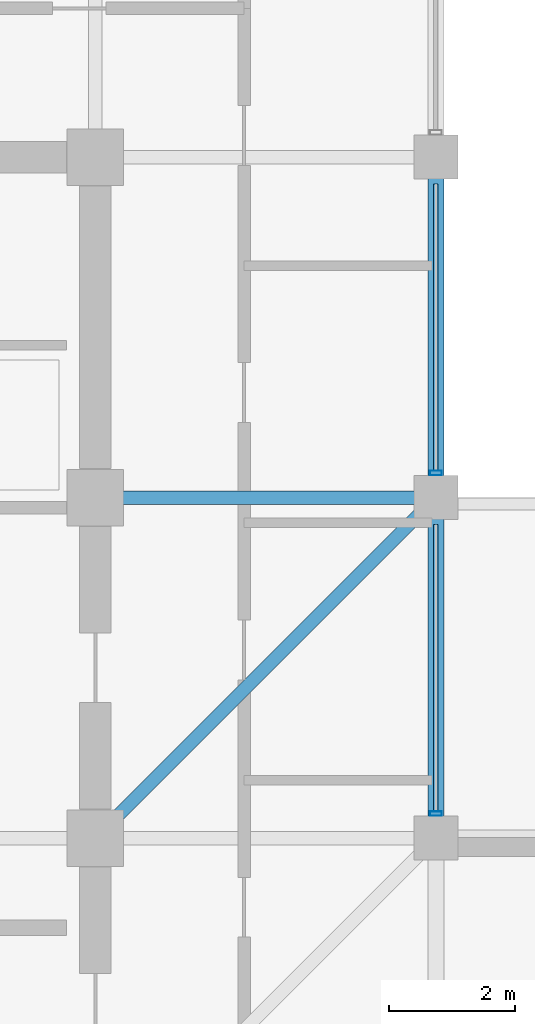
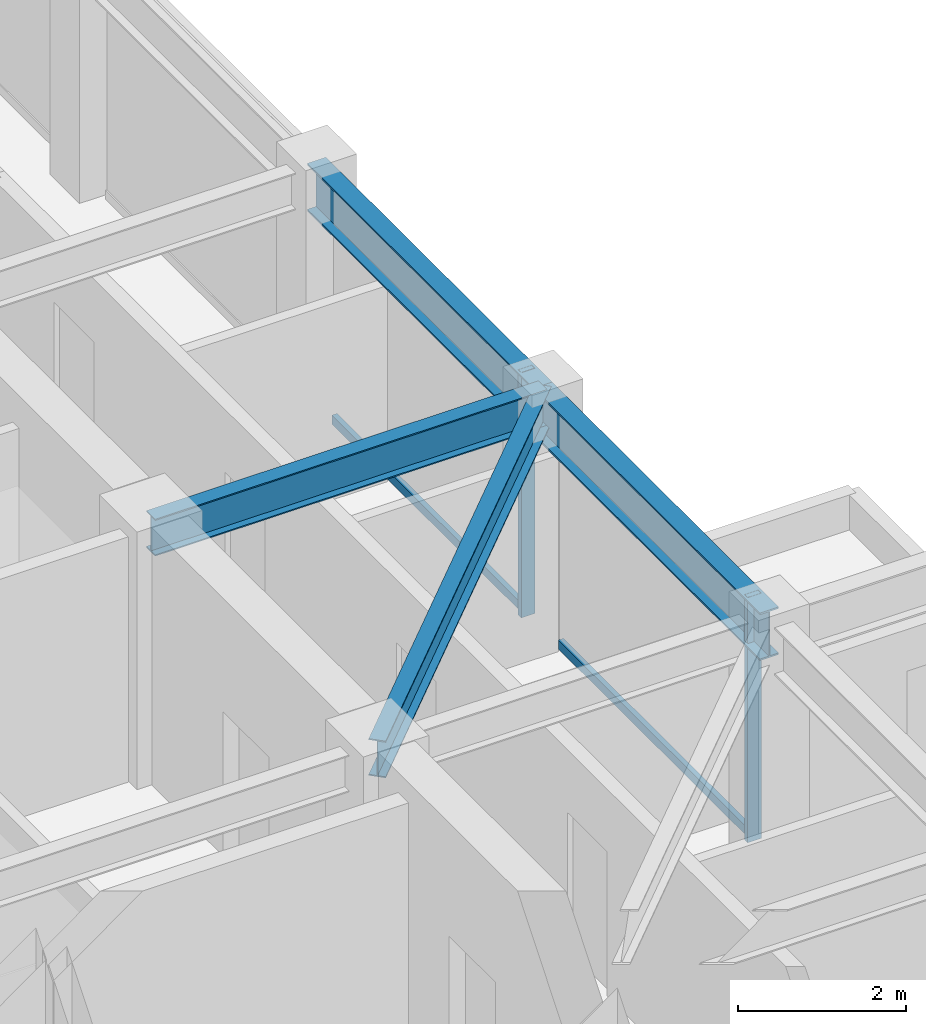
# One storey, part 11 of 31: 4 beams, 4 members, 1 element without a shape of its own.
"""IFC4 building model written with IfcOpenShell, lengths in metres."""

import ifcopenshell
import ifcopenshell.guid

model = None  # the IFC model being written
_history = None  # IfcOwnerHistory: only IFC2X3 demands one
_inside = {}  # id of a spatial element -> (the spatial element, [elements in it])
_under = {}  # id of a project, library or spatial element -> (it, [spatial elements below it])
_declared = {}  # id of a project -> (the project, [libraries it declares])
_typed = {}  # id of a type object -> (the type object, [elements of that type])
_made_of = {}  # id of a material, layer set ... -> (it, [elements and type objects made of it])


def new_model(schema):
    """Start an empty IFC model of exactly this schema.

    Asked for "IFC4X3", IfcOpenShell would pick the latest addendum, in which some entities
    have other attributes; the version numbers below select the first issue.
    IFC2X3 requires an IfcOwnerHistory on every rooted entity: one is made here for all.
    """
    global model, _history
    if schema == "IFC4X3":
        model = ifcopenshell.file(schema_version=(4, 3, 0, 0))
    else:
        model = ifcopenshell.file(schema=schema)
    _inside.clear()
    _under.clear()
    _declared.clear()
    _typed.clear()
    _made_of.clear()
    _history = None
    if model.schema == "IFC2X3":
        org = make("IfcOrganization", Name="unknown")
        user = make(
            "IfcPersonAndOrganization",
            ThePerson=make("IfcPerson", FamilyName="unknown"),
            TheOrganization=org,
        )
        app = make(
            "IfcApplication",
            ApplicationDeveloper=org,
            Version="unknown",
            ApplicationFullName="unknown",
            ApplicationIdentifier="unknown",
        )
        _history = make(
            "IfcOwnerHistory",
            OwningUser=user,
            OwningApplication=app,
            ChangeAction="ADDED",
            CreationDate=0,
        )
    return model


def make(cls, **values):
    """One entity of the class cls with the attributes given. An attribute that is None is left unset."""
    return model.create_entity(
        cls, **{name: value for name, value in values.items() if value is not None}
    )


def rooted(cls, **values):
    """An entity with a GlobalId (a new one), such as an element, a storey or a relation."""
    return make(cls, GlobalId=ifcopenshell.guid.new(), OwnerHistory=_history, **values)


def si_unit(unit_type, name, prefix=None):
    """IfcSIUnit, for example si_unit("LENGTHUNIT", "METRE", prefix="MILLI")."""
    return make("IfcSIUnit", UnitType=unit_type, Prefix=prefix, Name=name)


def assignment(units):
    """IfcUnitAssignment: the units of a project."""
    return None if units is None else make("IfcUnitAssignment", Units=units)


def point(xyz):
    """IfcCartesianPoint."""
    return None if xyz is None else make("IfcCartesianPoint", Coordinates=xyz)


def direction(xyz):
    """IfcDirection."""
    return None if xyz is None else make("IfcDirection", DirectionRatios=xyz)


def frame(location, z_axis=None, x_axis=None):
    """IfcAxis2Placement3D, a coordinate frame: its origin and axes. An axis left out is left unset."""
    return make(
        "IfcAxis2Placement3D",
        Location=point(location),
        Axis=direction(z_axis),
        RefDirection=direction(x_axis),
    )


def frame_2d(location, x_axis=None):
    """IfcAxis2Placement2D, a coordinate frame in the plane: its origin and x axis."""
    return make(
        "IfcAxis2Placement2D", Location=point(location), RefDirection=direction(x_axis)
    )


def origin():
    """The frame at (0, 0, 0) with its axes left unset."""
    return frame((0.0, 0.0, 0.0))


def origin_2d():
    """The frame at (0, 0) in the plane with its x axis left unset."""
    return frame_2d((0.0, 0.0))


def place(relative_to, where):
    """IfcLocalPlacement: puts the frame where relative to a parent placement (None: the world)."""
    return make(
        "IfcLocalPlacement", PlacementRelTo=relative_to, RelativePlacement=where
    )


def context(
    kind, dimensions, precision=None, world=None, true_north=None, identifier=None
):
    """IfcGeometricRepresentationContext, for example the 3D "Model" context."""
    return make(
        "IfcGeometricRepresentationContext",
        ContextIdentifier=identifier,
        ContextType=kind,
        CoordinateSpaceDimension=dimensions,
        Precision=precision,
        WorldCoordinateSystem=world,
        TrueNorth=true_north,
    )


def subcontext(parent, identifier, kind, view, scale=None):
    """IfcGeometricRepresentationSubContext, for example "Body" below "Model"."""
    return make(
        "IfcGeometricRepresentationSubContext",
        ContextIdentifier=identifier,
        ContextType=kind,
        ParentContext=parent,
        TargetScale=scale,
        TargetView=view,
    )


def project(units=None, contexts=None):
    """IfcProject with its units and contexts."""
    return rooted(
        "IfcProject",
        Name="project",
        RepresentationContexts=contexts,
        UnitsInContext=assignment(units),
    )


def spatial(cls, under=None, at=None, **own):
    """A site, building, storey or space (cls), placed at a placement, below another one or the project."""
    s = rooted(cls, ObjectPlacement=at, **own)
    if under is not None:
        _under.setdefault(under.id(), (under, []))[1].append(s)
    return s


def profile(cls, at=None, kind="AREA", **sizes):
    """A parametric profile (cls). Its sizes go by their IFC names, for example OverallWidth=200.0."""
    return make(cls, ProfileType=kind, Position=at, **sizes)


def hollow_rectangle(**sizes):
    """IfcRectangleHollowProfileDef."""
    return profile("IfcRectangleHollowProfileDef", **sizes)


def i_section(**sizes):
    """IfcIShapeProfileDef."""
    return profile("IfcIShapeProfileDef", **sizes)


def extrude(swept, where, along, depth):
    """IfcExtrudedAreaSolid: the profile swept, set in the frame where, extruded along a direction by depth."""
    return make(
        "IfcExtrudedAreaSolid",
        SweptArea=swept,
        Position=where,
        ExtrudedDirection=direction(along),
        Depth=depth,
    )


def shape(context_of_items, identifier, shape_type, items):
    """IfcShapeRepresentation: the items that make up one representation, for example the "Body"."""
    return make(
        "IfcShapeRepresentation",
        ContextOfItems=context_of_items,
        RepresentationIdentifier=identifier,
        RepresentationType=shape_type,
        Items=items,
    )


def material(Name=None, Category=None):
    """IfcMaterial."""
    return make("IfcMaterial", Name=Name, Category=Category)


def layer(
    of_material, thickness, ventilated=None, Name=None, Category=None, Priority=None
):
    """IfcMaterialLayer: one layer of a wall or slab, of a material (None: an air gap)."""
    return make(
        "IfcMaterialLayer",
        Material=of_material,
        LayerThickness=thickness,
        IsVentilated=ventilated,
        Name=Name,
        Category=Category,
        Priority=Priority,
    )


def layer_set(layers, Name=None):
    """IfcMaterialLayerSet."""
    return make("IfcMaterialLayerSet", MaterialLayers=layers, LayerSetName=Name)


def material_profile(
    of_material, cross_section, Name=None, Category=None, Priority=None
):
    """IfcMaterialProfile: a cross section and its material."""
    return make(
        "IfcMaterialProfile",
        Name=Name,
        Material=of_material,
        Profile=cross_section,
        Priority=Priority,
        Category=Category,
    )


def profile_set(profiles, Name=None, composite=None):
    """IfcMaterialProfileSet."""
    return make(
        "IfcMaterialProfileSet",
        Name=Name,
        MaterialProfiles=profiles,
        CompositeProfile=composite,
    )


def made_of(thing, what):
    """Note that an element or type object is made of a material, layer set ...; save() writes the relation."""
    if what is not None:
        _made_of.setdefault(what.id(), (what, []))[1].append(thing)
    return thing


def type_object(cls, material=None, **own):
    """A type object (cls), such as IfcWallType, which elements share."""
    return made_of(rooted(cls, **own), material)


def element(
    cls,
    number,
    at=None,
    inside=None,
    cuts=None,
    type_object=None,
    material=None,
    context=None,
    identifier="Body",
    shape_type=None,
    held_by="IfcProductDefinitionShape",
    body=None,
    shapes=None,
    **own,
):
    """One element of the class cls, such as IfcWall. Its Tag is "e" and its number.

    at: its placement. inside: the storey or other place that contains it. cuts: it is an
    opening in that element (IfcRelVoidsElement). A single representation is given by context,
    identifier, shape_type and body (its items); several are given by shapes. held_by: the class
    of the entity that holds the representations. save() writes the other relations.
    """
    e = rooted(cls, Tag="e%d" % number, ObjectPlacement=at, **own)
    if body is not None:
        shapes = [shape(context, identifier, shape_type, body)]
    if shapes is not None:
        e.Representation = make(held_by, Representations=shapes)
    if inside is not None:
        _inside.setdefault(inside.id(), (inside, []))[1].append(e)
    if cuts is not None:
        rooted(
            "IfcRelVoidsElement", RelatingBuildingElement=cuts, RelatedOpeningElement=e
        )
    if type_object is not None:
        _typed.setdefault(type_object.id(), (type_object, []))[1].append(e)
    return made_of(e, material)


def aggregate(whole, parts):
    """IfcRelAggregates: a whole, such as a stair, and the parts it consists of."""
    return rooted("IfcRelAggregates", RelatingObject=whole, RelatedObjects=parts)


def save(model, path):
    """Write the relations noted so far, then the file.

    IfcRelAggregates (storeys below a building ...), IfcRelContainedInSpatialStructure (elements
    in a storey), IfcRelDefinesByType, IfcRelAssociatesMaterial and IfcRelDeclares: one each for
    every whole, place, type object, material and project.
    """
    for whole, parts in _under.values():
        aggregate(whole, parts)
    for where, things in _inside.values():
        rooted(
            "IfcRelContainedInSpatialStructure",
            RelatedElements=things,
            RelatingStructure=where,
        )
    for kind, things in _typed.values():
        rooted("IfcRelDefinesByType", RelatedObjects=things, RelatingType=kind)
    for what, things in _made_of.values():
        rooted("IfcRelAssociatesMaterial", RelatedObjects=things, RelatingMaterial=what)
    for by, libraries in _declared.values():
        rooted("IfcRelDeclares", RelatingContext=by, RelatedDefinitions=libraries)
    model.write(path)


model = new_model("IFC4")

# Units and contexts
model_context = context("Model", 3, precision=1e-05, world=origin(), true_north=direction((0.0, 1.0)))
body_context = subcontext(model_context, "Body", "Model", "MODEL_VIEW")
ifc_project = project(units=[si_unit("LENGTHUNIT", "METRE"), si_unit("AREAUNIT", "SQUARE_METRE"), si_unit("VOLUMEUNIT", "CUBIC_METRE"), si_unit("PLANEANGLEUNIT", "RADIAN"), si_unit("MASSUNIT", "GRAM", prefix="KILO")], contexts=[model_context])

# Site, building, storey
site_placement = place(None, origin())
site = spatial("IfcSite", under=ifc_project, at=site_placement, CompositionType="ELEMENT")
building_placement = place(site_placement, origin())
building = spatial("IfcBuilding", under=site, at=building_placement, Name="Surkhivell Harbour Commons", CompositionType="ELEMENT")
storey_placement = place(building_placement, frame((0.0, 0.0, 315.0)))
storey = spatial("IfcBuildingStorey", under=building, at=storey_placement, Name="L82", CompositionType="ELEMENT", Elevation=315.0)

# Beams
ifc_material_1 = material(Name="Steel S355", Category="steel")
ifc_material_profile_1 = material_profile(ifc_material_1, i_section(OverallWidth=0.2099609375, OverallDepth=0.537109375, WebThickness=0.0107421875, FlangeThickness=0.017333984375, at=origin_2d()), Name="UB533x210x101")
ifc_profile_set_1 = profile_set([ifc_material_profile_1], Name="Steel S355")
beam_type_1 = type_object("IfcBeamType", Name="BM-GRD-533B", PredefinedType="BEAM", material=ifc_profile_set_1)
beam_1_placement = place(storey_placement, frame((10.800048828125, 0.0, 3.301513671875), z_axis=(0.707106781187, 0.707106781187, 0.0), x_axis=(-0.707106781187, 0.707106781187, 0.0)))
element("IfcBeam", 1, at=beam_1_placement, inside=storey, type_object=beam_type_1, Name="L82 Floor Girder (10.8,0.0)", PredefinedType="BEAM", context=body_context, shape_type="SweptSolid", body=[
    extrude(i_section(OverallWidth=0.2099609375, OverallDepth=0.537109375, WebThickness=0.0107421875, FlangeThickness=0.017333984375, at=origin_2d()), origin(), (0.0, 0.0, 1.0), 7.63671875),
])
beam_2_placement = place(storey_placement, frame((10.800048828125, 5.39990234375, 3.301513671875), z_axis=(1.0, 0.0, 0.0), x_axis=(0.0, 1.0, 0.0)))
element("IfcBeam", 2, at=beam_2_placement, inside=storey, type_object=beam_type_1, Name="L82 Floor Girder (10.8,5.4)", PredefinedType="BEAM", context=body_context, shape_type="SweptSolid", body=[
    extrude(i_section(OverallWidth=0.2099609375, OverallDepth=0.537109375, WebThickness=0.0107421875, FlangeThickness=0.017333984375, at=origin_2d()), origin(), (0.0, 0.0, 1.0), 5.39990234375),
])
ifc_material_profile_2 = material_profile(ifc_material_1, i_section(OverallWidth=0.256103515625, OverallDepth=0.693115234375, WebThickness=0.014404296875, FlangeThickness=0.023681640625, at=origin_2d()), Name="UB686x254x170")
ifc_profile_set_2 = profile_set([ifc_material_profile_2], Name="Steel S355")
beam_type_2 = type_object("IfcBeamType", Name="BM-SPN-686", PredefinedType="SPANDREL", material=ifc_profile_set_2)
beam_3_placement = place(storey_placement, frame((16.199951171875, 0.0, 3.223388671875), z_axis=(0.0, 1.0, 0.0), x_axis=(-1.0, 0.0, 0.0)))
element("IfcBeam", 3, at=beam_3_placement, inside=storey, type_object=beam_type_2, Name="L82 Tube Spandrel (16.2,0.0)", PredefinedType="SPANDREL", context=body_context, shape_type="SweptSolid", body=[
    extrude(i_section(OverallWidth=0.256103515625, OverallDepth=0.693115234375, WebThickness=0.014404296875, FlangeThickness=0.023681640625, at=origin_2d()), origin(), (0.0, 0.0, 1.0), 5.39990234375),
])
beam_4_placement = place(storey_placement, frame((16.199951171875, 5.39990234375, 3.223388671875), z_axis=(0.0, 1.0, 0.0), x_axis=(-1.0, 0.0, 0.0)))
element("IfcBeam", 4, at=beam_4_placement, inside=storey, type_object=beam_type_2, Name="L82 Tube Spandrel (16.2,5.4)", PredefinedType="SPANDREL", context=body_context, shape_type="SweptSolid", body=[
    extrude(i_section(OverallWidth=0.256103515625, OverallDepth=0.693115234375, WebThickness=0.014404296875, FlangeThickness=0.023681640625, at=origin_2d()), origin(), (0.0, 0.0, 1.0), 5.400146484375),
])

# Curtain wall, members
ifc_material_2 = material(Name="Anodised pale-metal aluminium and insulated glazing", Category="aluminium")
ifc_layer = layer(ifc_material_2, 0.175048828125)
ifc_layer_set = layer_set([ifc_layer], Name="Anodised pale-metal aluminium and insulated glazing")
curtain_wall_type = type_object("IfcCurtainWallType", Name="CW-SYS-Z4", PredefinedType="NOTDEFINED", material=ifc_layer_set)
curtain_wall_placement = place(storey_placement, origin())
curtain_wall = element("IfcCurtainWall", 5, at=curtain_wall_placement, inside=storey, type_object=curtain_wall_type, Name="L82 Curtain Wall CW-L82-E02R1", PredefinedType="NOTDEFINED")
ifc_material_3 = material(Name="Anodised pale-metal aluminium alloy 6063-T6", Category="aluminium")
ifc_material_profile_3 = material_profile(ifc_material_3, hollow_rectangle(XDim=0.074951171875, YDim=0.18994140625, WallThickness=0.00390625, at=origin_2d()), Name="ALU-MULL-75x190")
ifc_profile_set_3 = profile_set([ifc_material_profile_3], Name="Anodised pale-metal aluminium alloy 6063-T6")
member_type_1 = type_object("IfcMemberType", Name="CWM-190", PredefinedType="MULLION", material=ifc_profile_set_3)
member_1_placement = place(storey_placement, frame((16.199951171875, 0.389404296875, 0.0), z_axis=(0.0, 0.0, 1.0), x_axis=(0.0, 1.0, 0.0)))
member_1 = element("IfcMember", 6, at=member_1_placement, type_object=member_type_1, Name="CW-Z4 mullion 1", PredefinedType="MULLION", context=body_context, shape_type="SweptSolid", body=[
    extrude(hollow_rectangle(XDim=0.074951171875, YDim=0.18994140625, WallThickness=0.00390625, at=origin_2d()), origin(), (0.0, 0.0, 1.0), 3.570068359375),
])
member_2_placement = place(storey_placement, frame((16.199951171875, 5.78955078125, 0.0), z_axis=(0.0, 0.0, 1.0), x_axis=(0.0, 1.0, 0.0)))
member_2 = element("IfcMember", 7, at=member_2_placement, type_object=member_type_1, Name="CW-Z4 mullion 2", PredefinedType="MULLION", context=body_context, shape_type="SweptSolid", body=[
    extrude(hollow_rectangle(XDim=0.074951171875, YDim=0.18994140625, WallThickness=0.00390625, at=origin_2d()), origin(), (0.0, 0.0, 1.0), 3.570068359375),
])
ifc_material_4 = material(Name="Champagne anodised aluminium alloy 6063-T6", Category="aluminium")
ifc_material_profile_4 = material_profile(ifc_material_4, hollow_rectangle(XDim=0.070068359375, YDim=0.1298828125, WallThickness=0.00341796875, at=origin_2d()), Name="ALU-TRAN-70x130")
ifc_profile_set_4 = profile_set([ifc_material_profile_4], Name="Champagne anodised aluminium alloy 6063-T6")
member_type_2 = type_object("IfcMemberType", Name="CWT-130", PredefinedType="USERDEFINED", material=ifc_profile_set_4)
member_3_placement = place(storey_placement, frame((16.199951171875, 0.427001953125, 0.06494140625), z_axis=(0.0, 1.0, 0.0), x_axis=(-1.0, 0.0, 0.0)))
member_3 = element("IfcMember", 8, at=member_3_placement, type_object=member_type_2, Name="CW-Z4 transom 1.1", ObjectType="TRANSOM", PredefinedType="USERDEFINED", context=body_context, shape_type="SweptSolid", body=[
    extrude(hollow_rectangle(XDim=0.070068359375, YDim=0.1298828125, WallThickness=0.00341796875, at=origin_2d()), origin(), (0.0, 0.0, 1.0), 4.5458984375),
])
member_4_placement = place(storey_placement, frame((16.199951171875, 5.826904296875, 0.06494140625), z_axis=(0.0, 1.0, 0.0), x_axis=(-1.0, 0.0, 0.0)))
member_4 = element("IfcMember", 9, at=member_4_placement, type_object=member_type_2, Name="CW-Z4 transom 2.1", ObjectType="TRANSOM", PredefinedType="USERDEFINED", context=body_context, shape_type="SweptSolid", body=[
    extrude(hollow_rectangle(XDim=0.070068359375, YDim=0.1298828125, WallThickness=0.00341796875, at=origin_2d()), origin(), (0.0, 0.0, 1.0), 4.546142578125),
])
aggregate(curtain_wall, [member_1, member_3, member_2, member_4])

save(model, "model.ifc")
